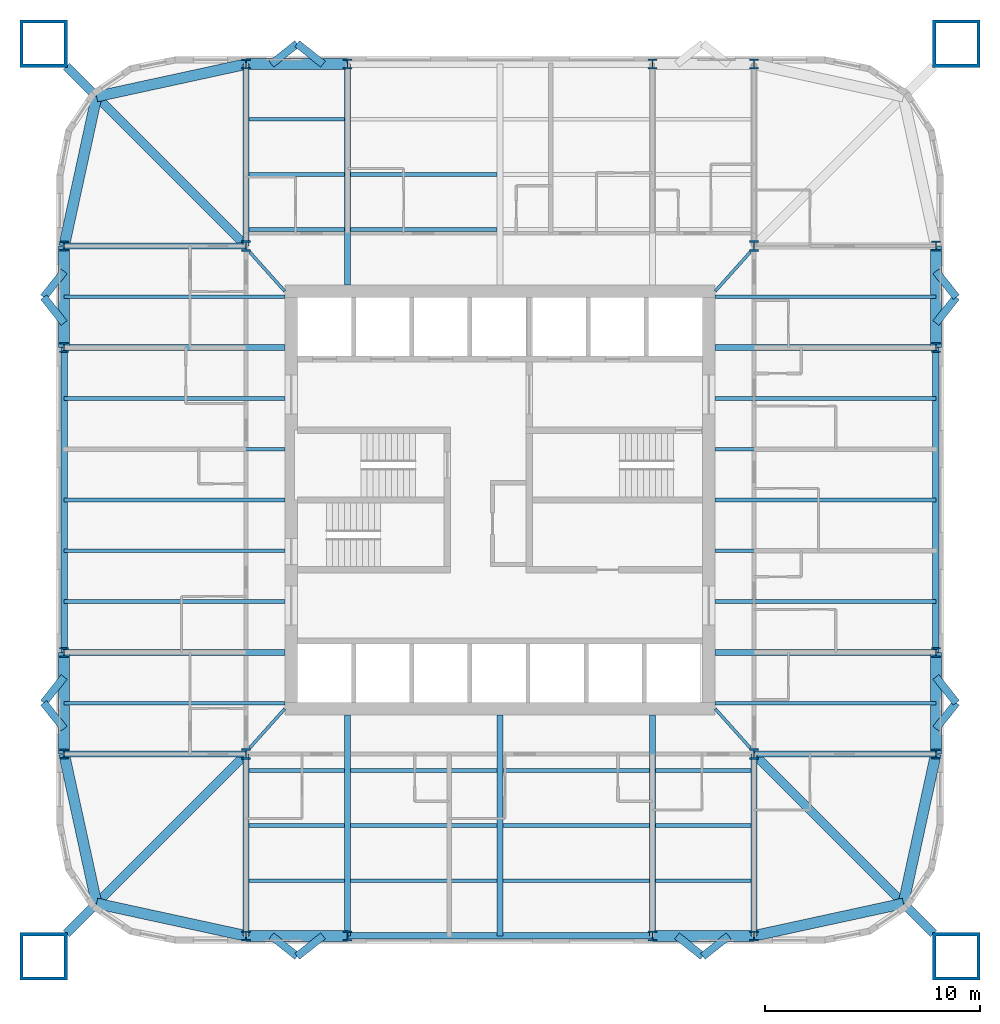
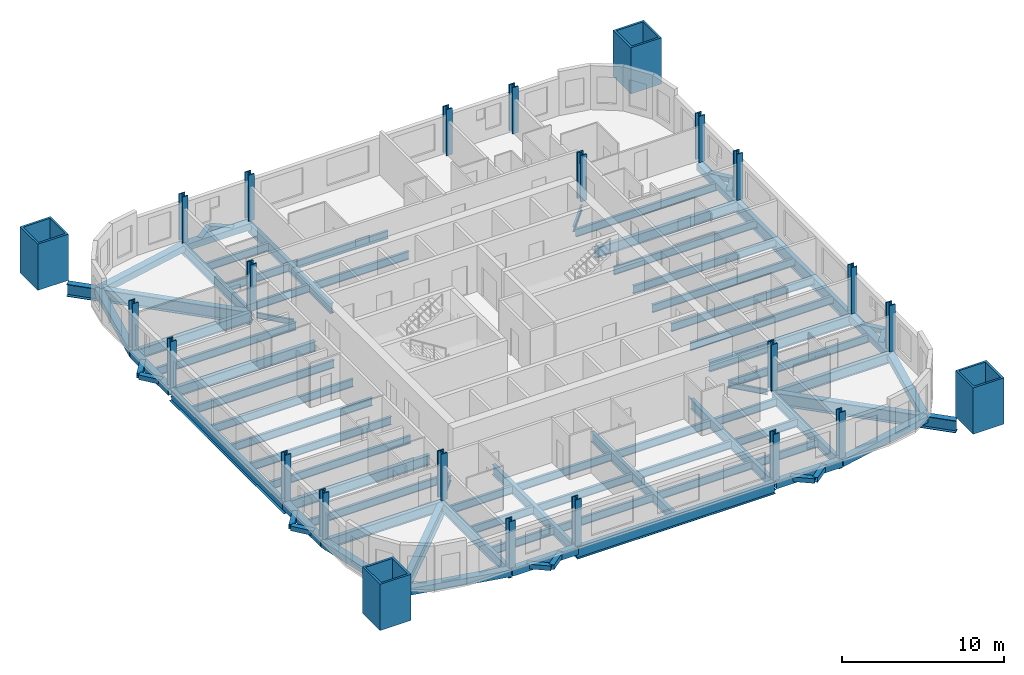
# One storey, part 1 of 9: 82 beams, 24 columns.
"""IFC4 building model written with IfcOpenShell, lengths in metres."""

from ifc_helpers import new_model, si_unit, direction, frame, origin, origin_2d, place, context, subcontext, project, spatial, hollow_rectangle, i_section, extrude, material, material_profile, profile_set, type_object, element, save


model = new_model("IFC4")

# Units and contexts
model_context = context("Model", 3, precision=1e-05, world=origin(), true_north=direction((0.0, 1.0)))
body_context = subcontext(model_context, "Body", "Model", "MODEL_VIEW")
ifc_project = project(units=[si_unit("LENGTHUNIT", "METRE"), si_unit("AREAUNIT", "SQUARE_METRE"), si_unit("VOLUMEUNIT", "CUBIC_METRE"), si_unit("PLANEANGLEUNIT", "RADIAN"), si_unit("MASSUNIT", "GRAM", prefix="KILO")], contexts=[model_context])

# Site, building, storey
site_placement = place(None, origin())
site = spatial("IfcSite", under=ifc_project, at=site_placement, CompositionType="ELEMENT")
building_placement = place(site_placement, origin())
building = spatial("IfcBuilding", under=site, at=building_placement, Name="Turquesa Mirador Hotel Tower", CompositionType="ELEMENT")
storey_placement = place(building_placement, frame((0.0, 0.0, 110.89990234375)))
storey = spatial("IfcBuildingStorey", under=building, at=storey_placement, Name="L29", CompositionType="ELEMENT", Elevation=110.89990234375)

# Columns
ifc_material_1 = material(Name="Steel ASTM A992 Grade 50", Category="steel")
ifc_material_profile_1 = material_profile(ifc_material_1, i_section(OverallWidth=0.421630859375, OverallDepth=0.46484375, WebThickness=0.044921875, FlangeThickness=0.072509765625, at=origin_2d()), Name="W14X398")
ifc_profile_set_1 = profile_set([ifc_material_profile_1], Name="Steel ASTM A992 Grade 50")
column_type_1 = type_object("IfcColumnType", Name="COLUMN W14X398", PredefinedType="COLUMN", material=ifc_profile_set_1)
for number, where, z_axis, x_axis, name in (
    (1, (34.75, 33.199951171875, 0.0), (0.0, 0.0, 1.0), (1.0, 0.0, 0.0), "COL-L29-P--20.25--11.80"),
    (2, (34.75, 37.919921875, 0.0), (0.0, 0.0, 1.0), (1.0, 0.0, 0.0), "COL-L29-P--20.25--7.08"),
    (3, (34.75, 52.080078125, 0.0), (0.0, 0.0, 1.0), (1.0, 0.0, 0.0), "COL-L29-P--20.25-+7.08"),
    (4, (34.75, 56.800048828125, 0.0), (0.0, 0.0, 1.0), (1.0, 0.0, 0.0), "COL-L29-P--20.25-+11.80"),
    (5, (43.199951171875, 24.75, 0.0), (0.0, 0.0, 1.0), (1.0, 0.0, 0.0), "COL-L29-P--11.80--20.25"),
    (6, (43.199951171875, 65.25, 0.0), (0.0, 0.0, 1.0), (1.0, 0.0, 0.0), "COL-L29-P--11.80-+20.25"),
    (7, (47.919921875, 24.75, 0.0), (0.0, 0.0, 1.0), (1.0, 0.0, 0.0), "COL-L29-P--7.08--20.25"),
    (8, (47.919921875, 65.25, 0.0), (0.0, 0.0, 1.0), (1.0, 0.0, 0.0), "COL-L29-P--7.08-+20.25"),
    (9, (62.080078125, 24.75, 0.0), (0.0, 0.0, 1.0), (1.0, 0.0, 0.0), "COL-L29-P-+7.08--20.25"),
    (10, (62.080078125, 65.25, 0.0), (0.0, 0.0, 1.0), (1.0, 0.0, 0.0), "COL-L29-P-+7.08-+20.25"),
    (11, (66.800048828125, 24.75, 0.0), (0.0, 0.0, 1.0), (1.0, 0.0, 0.0), "COL-L29-P-+11.80--20.25"),
    (12, (66.800048828125, 65.25, 0.0), (0.0, 0.0, 1.0), (1.0, 0.0, 0.0), "COL-L29-P-+11.80-+20.25"),
    (13, (75.25, 33.199951171875, 0.0), (0.0, 0.0, 1.0), (1.0, 0.0, 0.0), "COL-L29-P-+20.25--11.80"),
    (14, (75.25, 37.919921875, 0.0), (0.0, 0.0, 1.0), (1.0, 0.0, 0.0), "COL-L29-P-+20.25--7.08"),
    (15, (75.25, 52.080078125, 0.0), (0.0, 0.0, 1.0), (1.0, 0.0, 0.0), "COL-L29-P-+20.25-+7.08"),
    (16, (75.25, 56.800048828125, 0.0), (0.0, 0.0, 1.0), (1.0, 0.0, 0.0), "COL-L29-P-+20.25-+11.80"),
):
    element("IfcColumn", number, at=place(storey_placement, frame(where, z_axis=z_axis, x_axis=x_axis)), inside=storey, type_object=column_type_1, Name=name, PredefinedType="COLUMN", context=body_context, shape_type="SweptSolid", body=[
        extrude(i_section(OverallWidth=0.421630859375, OverallDepth=0.46484375, WebThickness=0.044921875, FlangeThickness=0.072509765625, at=origin_2d()), origin(), (0.0, 0.0, 1.0), 3.5),
    ])
ifc_material_2 = material(Name="Steel ASTM A992 Grade 50", Category="steel")
ifc_material_profile_2 = material_profile(ifc_material_2, i_section(OverallWidth=0.431884765625, OverallDepth=0.497802734375, WebThickness=0.0556640625, FlangeThickness=0.0888671875, at=origin_2d()), Name="W14X500")
ifc_profile_set_2 = profile_set([ifc_material_profile_2], Name="Steel ASTM A992 Grade 50")
column_type_2 = type_object("IfcColumnType", Name="COLUMN W14X500", PredefinedType="COLUMN", material=ifc_profile_set_2)
for number, where, z_axis, x_axis, name in (
    (17, (43.199951171875, 33.199951171875, 0.0), (0.0, 0.0, 1.0), (1.0, 0.0, 0.0), "COL-L29-K--11.80--11.80"),
    (18, (43.199951171875, 56.800048828125, 0.0), (0.0, 0.0, 1.0), (1.0, 0.0, 0.0), "COL-L29-K--11.80-+11.80"),
    (19, (66.800048828125, 33.199951171875, 0.0), (0.0, 0.0, 1.0), (1.0, 0.0, 0.0), "COL-L29-K-+11.80--11.80"),
    (20, (66.800048828125, 56.800048828125, 0.0), (0.0, 0.0, 1.0), (1.0, 0.0, 0.0), "COL-L29-K-+11.80-+11.80"),
):
    element("IfcColumn", number, at=place(storey_placement, frame(where, z_axis=z_axis, x_axis=x_axis)), inside=storey, type_object=column_type_2, Name=name, PredefinedType="COLUMN", context=body_context, shape_type="SweptSolid", body=[
        extrude(i_section(OverallWidth=0.431884765625, OverallDepth=0.497802734375, WebThickness=0.0556640625, FlangeThickness=0.0888671875, at=origin_2d()), origin(), (0.0, 0.0, 1.0), 3.5),
    ])
ifc_material_3 = material(Name="Steel ASTM A514 Grade Q", Category="steel")
ifc_material_profile_3 = material_profile(ifc_material_3, hollow_rectangle(XDim=2.199951171875, YDim=2.199951171875, WallThickness=0.14990234375, at=origin_2d()), Name="BOX2200X2200X150")
ifc_profile_set_3 = profile_set([ifc_material_profile_3], Name="Steel ASTM A514 Grade Q")
column_type_3 = type_object("IfcColumnType", Name="MEGA COLUMN BOX2200X2200X150", PredefinedType="COLUMN", material=ifc_profile_set_3)
for number, where, z_axis, x_axis, name in (
    (21, (76.199951171875, 66.199951171875, 0.0), (0.0, 0.0, 1.0), (1.0, 0.0, 0.0), "Mega column M1"),
    (22, (33.800048828125, 66.199951171875, 0.0), (0.0, 0.0, 1.0), (1.0, 0.0, 0.0), "Mega column M2"),
    (23, (33.800048828125, 23.800048828125, 0.0), (0.0, 0.0, 1.0), (1.0, 0.0, 0.0), "Mega column M3"),
    (24, (76.199951171875, 23.800048828125, 0.0), (0.0, 0.0, 1.0), (1.0, 0.0, 0.0), "Mega column M4"),
):
    element("IfcColumn", number, at=place(storey_placement, frame(where, z_axis=z_axis, x_axis=x_axis)), inside=storey, type_object=column_type_3, Name=name, PredefinedType="COLUMN", context=body_context, shape_type="SweptSolid", body=[
        extrude(hollow_rectangle(XDim=2.199951171875, YDim=2.199951171875, WallThickness=0.14990234375, at=origin_2d()), origin(), (0.0, 0.0, 1.0), 3.5),
    ])

# Beams
ifc_material_4 = material(Name="Steel ASTM A572 Grade 50", Category="steel")
ifc_material_profile_4 = material_profile(ifc_material_4, hollow_rectangle(XDim=0.5, YDim=0.5, WallThickness=0.01611328125, at=origin_2d()), Name="BOX500X500X16")
ifc_profile_set_4 = profile_set([ifc_material_profile_4], Name="Steel ASTM A572 Grade 50")
beam_type_1 = type_object("IfcBeamType", Name="BEAM BOX500X500X16", PredefinedType="BEAM", material=ifc_profile_set_4)
for number, where, z_axis, x_axis, name in (
    (25, (43.199951171875, 65.25, -0.419921875), (1.0, 0.0, 0.0), (0.0, 1.0, 0.0), "EB-L29-N-L"),
    (26, (43.199951171875, 24.75, -0.419921875), (1.0, 0.0, 0.0), (0.0, 1.0, 0.0), "EB-L29-S-L"),
    (27, (62.080078125, 24.75, -0.419921875), (1.0, 0.0, 0.0), (0.0, 1.0, 0.0), "EB-L29-S-R"),
    (28, (75.25, 33.199951171875, -0.419921875), (0.0, 1.0, 0.0), (-1.0, 0.0, 0.0), "EB-L29-E-L"),
    (29, (75.25, 52.080078125, -0.419921875), (0.0, 1.0, 0.0), (-1.0, 0.0, 0.0), "EB-L29-E-R"),
    (30, (34.75, 33.199951171875, -0.419921875), (0.0, 1.0, 0.0), (-1.0, 0.0, 0.0), "EB-L29-W-L"),
    (31, (34.75, 52.080078125, -0.419921875), (0.0, 1.0, 0.0), (-1.0, 0.0, 0.0), "EB-L29-W-R"),
):
    element("IfcBeam", number, at=place(storey_placement, frame(where, z_axis=z_axis, x_axis=x_axis)), inside=storey, type_object=beam_type_1, Name=name, PredefinedType="BEAM", context=body_context, shape_type="SweptSolid", body=[
        extrude(hollow_rectangle(XDim=0.5, YDim=0.5, WallThickness=0.01611328125, at=origin_2d()), origin(), (0.0, 0.0, 1.0), 4.719970703125),
    ])
for number, where, z_axis, x_axis, name in (
    (32, (34.75, 56.800048828125, -0.419921875), (0.212328336885, 0.977198381781, 0.0), (-0.977198381781, 0.212328336885, 0.0), "KE-L29-2-0"),
    (33, (36.25830078125, 63.74169921875, -0.419921875), (0.977198381781, 0.212328336885, 0.0), (-0.212328336885, 0.977198381781, 0.0), "KE-L29-2-1"),
    (34, (34.75, 33.199951171875, -0.419921875), (0.212328336885, -0.977198381781, 0.0), (0.977198381781, 0.212328336885, 0.0), "KE-L29-3-0"),
    (35, (36.25830078125, 26.25830078125, -0.419921875), (0.977198381781, -0.212328336885, 0.0), (0.212328336885, 0.977198381781, 0.0), "KE-L29-3-1"),
    (36, (75.25, 33.199951171875, -0.419921875), (-0.212328336885, -0.977198381781, 0.0), (0.977198381781, -0.212328336885, 0.0), "KE-L29-4-0"),
    (37, (73.74169921875, 26.25830078125, -0.419921875), (-0.977198381781, -0.212328336885, 0.0), (0.212328336885, -0.977198381781, 0.0), "KE-L29-4-1"),
):
    element("IfcBeam", number, at=place(storey_placement, frame(where, z_axis=z_axis, x_axis=x_axis)), inside=storey, type_object=beam_type_1, Name=name, PredefinedType="BEAM", context=body_context, shape_type="SweptSolid", body=[
        extrude(hollow_rectangle(XDim=0.5, YDim=0.5, WallThickness=0.01611328125, at=origin_2d()), origin(), (0.0, 0.0, 1.0), 7.103515625),
    ])
ifc_material_5 = material(Name="Steel ASTM A992 Grade 50", Category="steel")
ifc_material_profile_5 = material_profile(ifc_material_5, i_section(OverallWidth=0.140380859375, OverallDepth=0.40380859375, WebThickness=0.007080078125, FlangeThickness=0.01123046875, at=origin_2d()), Name="W16X31")
ifc_profile_set_5 = profile_set([ifc_material_profile_5], Name="Steel ASTM A992 Grade 50")
beam_type_2 = type_object("IfcBeamType", Name="BEAM W16X31", PredefinedType="BEAM", material=ifc_profile_set_5)
for number, where, z_axis, x_axis, name in (
    (38, (66.626953125, 56.518310546875, -0.371826171875), (-0.66679485947, -0.745241313525, 0.0), (0.745241313525, -0.66679485947, 0.0), "KT-L29-1"),
    (39, (43.373046875, 56.518310546875, -0.371826171875), (0.66679485947, -0.745241313525, 0.0), (0.745241313525, 0.66679485947, 0.0), "KT-L29-2"),
    (40, (43.373046875, 33.481689453125, -0.371826171875), (0.66679485947, 0.745241313525, 0.0), (-0.745241313525, 0.66679485947, 0.0), "KT-L29-3"),
    (41, (66.626953125, 33.481689453125, -0.371826171875), (-0.66679485947, 0.745241313525, 0.0), (-0.745241313525, -0.66679485947, 0.0), "KT-L29-4"),
):
    element("IfcBeam", number, at=place(storey_placement, frame(where, z_axis=z_axis, x_axis=x_axis)), inside=storey, type_object=beam_type_2, Name=name, PredefinedType="BEAM", context=body_context, shape_type="SweptSolid", body=[
        extrude(i_section(OverallWidth=0.140380859375, OverallDepth=0.40380859375, WebThickness=0.007080078125, FlangeThickness=0.01123046875, at=origin_2d()), origin(), (0.0, 0.0, 1.0), 2.43994140625),
    ])
ifc_material_6 = material(Name="Steel ASTM A992 Grade 50", Category="steel")
ifc_material_profile_6 = material_profile(ifc_material_6, i_section(OverallWidth=0.177978515625, OverallDepth=0.599365234375, WebThickness=0.010009765625, FlangeThickness=0.012939453125, at=origin_2d()), Name="W24X55")
ifc_profile_set_6 = profile_set([ifc_material_profile_6], Name="Steel ASTM A992 Grade 50")
beam_type_3 = type_object("IfcBeamType", Name="BEAM W24X55", PredefinedType="BEAM", material=ifc_profile_set_6)
beam_1_placement = place(storey_placement, frame((43.333251953125, 57.56201171875, -0.4697265625), z_axis=(1.0, 0.0, 0.0), x_axis=(0.0, 1.0, 0.0)))
element("IfcBeam", 42, at=beam_1_placement, inside=storey, type_object=beam_type_3, Name="IB-L29-N-1-0", PredefinedType="BEAM", context=body_context, shape_type="SweptSolid", body=[
    extrude(i_section(OverallWidth=0.177978515625, OverallDepth=0.599365234375, WebThickness=0.010009765625, FlangeThickness=0.012939453125, at=origin_2d()), origin(), (0.0, 0.0, 1.0), 4.453369140625),
])
beam_2_placement = place(storey_placement, frame((48.053466796875, 57.56201171875, -0.4697265625), z_axis=(1.0, 0.0, 0.0), x_axis=(0.0, 1.0, 0.0)))
element("IfcBeam", 43, at=beam_2_placement, inside=storey, type_object=beam_type_3, Name="IB-L29-N-1-1", PredefinedType="BEAM", context=body_context, shape_type="SweptSolid", body=[
    extrude(i_section(OverallWidth=0.177978515625, OverallDepth=0.599365234375, WebThickness=0.010009765625, FlangeThickness=0.012939453125, at=origin_2d()), origin(), (0.0, 0.0, 1.0), 6.813232421875),
])
beam_3_placement = place(storey_placement, frame((43.333251953125, 60.125, -0.4697265625), z_axis=(1.0, 0.0, 0.0), x_axis=(0.0, 1.0, 0.0)))
element("IfcBeam", 44, at=beam_3_placement, inside=storey, type_object=beam_type_3, Name="IB-L29-N-2-0", PredefinedType="BEAM", context=body_context, shape_type="SweptSolid", body=[
    extrude(i_section(OverallWidth=0.177978515625, OverallDepth=0.599365234375, WebThickness=0.010009765625, FlangeThickness=0.012939453125, at=origin_2d()), origin(), (0.0, 0.0, 1.0), 4.453369140625),
])
beam_4_placement = place(storey_placement, frame((48.053466796875, 60.125, -0.4697265625), z_axis=(1.0, 0.0, 0.0), x_axis=(0.0, 1.0, 0.0)))
element("IfcBeam", 45, at=beam_4_placement, inside=storey, type_object=beam_type_3, Name="IB-L29-N-2-1", PredefinedType="BEAM", context=body_context, shape_type="SweptSolid", body=[
    extrude(i_section(OverallWidth=0.177978515625, OverallDepth=0.599365234375, WebThickness=0.010009765625, FlangeThickness=0.012939453125, at=origin_2d()), origin(), (0.0, 0.0, 1.0), 6.813232421875),
])
for number, where, z_axis, x_axis, name in (
    (46, (43.333251953125, 62.68798828125, -0.4697265625), (1.0, 0.0, 0.0), (0.0, 1.0, 0.0), "IB-L29-N-3-0"),
    (47, (43.333251953125, 32.43798828125, -0.4697265625), (1.0, 0.0, 0.0), (0.0, 1.0, 0.0), "IB-L29-S-1-0"),
):
    element("IfcBeam", number, at=place(storey_placement, frame(where, z_axis=z_axis, x_axis=x_axis)), inside=storey, type_object=beam_type_3, Name=name, PredefinedType="BEAM", context=body_context, shape_type="SweptSolid", body=[
        extrude(i_section(OverallWidth=0.177978515625, OverallDepth=0.599365234375, WebThickness=0.010009765625, FlangeThickness=0.012939453125, at=origin_2d()), origin(), (0.0, 0.0, 1.0), 4.453369140625),
    ])
for number, where, z_axis, x_axis, name in (
    (48, (48.053466796875, 32.43798828125, -0.4697265625), (1.0, 0.0, 0.0), (0.0, 1.0, 0.0), "IB-L29-S-1-1"),
    (49, (55.13330078125, 32.43798828125, -0.4697265625), (1.0, 0.0, 0.0), (0.0, 1.0, 0.0), "IB-L29-S-1-2"),
):
    element("IfcBeam", number, at=place(storey_placement, frame(where, z_axis=z_axis, x_axis=x_axis)), inside=storey, type_object=beam_type_3, Name=name, PredefinedType="BEAM", context=body_context, shape_type="SweptSolid", body=[
        extrude(i_section(OverallWidth=0.177978515625, OverallDepth=0.599365234375, WebThickness=0.010009765625, FlangeThickness=0.012939453125, at=origin_2d()), origin(), (0.0, 0.0, 1.0), 6.813232421875),
    ])
for number, where, z_axis, x_axis, name in (
    (50, (62.21337890625, 32.43798828125, -0.4697265625), (1.0, 0.0, 0.0), (0.0, 1.0, 0.0), "IB-L29-S-1-3"),
    (51, (43.333251953125, 29.875, -0.4697265625), (1.0, 0.0, 0.0), (0.0, 1.0, 0.0), "IB-L29-S-2-0"),
):
    element("IfcBeam", number, at=place(storey_placement, frame(where, z_axis=z_axis, x_axis=x_axis)), inside=storey, type_object=beam_type_3, Name=name, PredefinedType="BEAM", context=body_context, shape_type="SweptSolid", body=[
        extrude(i_section(OverallWidth=0.177978515625, OverallDepth=0.599365234375, WebThickness=0.010009765625, FlangeThickness=0.012939453125, at=origin_2d()), origin(), (0.0, 0.0, 1.0), 4.453369140625),
    ])
for number, where, z_axis, x_axis, name in (
    (52, (48.053466796875, 29.875, -0.4697265625), (1.0, 0.0, 0.0), (0.0, 1.0, 0.0), "IB-L29-S-2-1"),
    (53, (55.13330078125, 29.875, -0.4697265625), (1.0, 0.0, 0.0), (0.0, 1.0, 0.0), "IB-L29-S-2-2"),
):
    element("IfcBeam", number, at=place(storey_placement, frame(where, z_axis=z_axis, x_axis=x_axis)), inside=storey, type_object=beam_type_3, Name=name, PredefinedType="BEAM", context=body_context, shape_type="SweptSolid", body=[
        extrude(i_section(OverallWidth=0.177978515625, OverallDepth=0.599365234375, WebThickness=0.010009765625, FlangeThickness=0.012939453125, at=origin_2d()), origin(), (0.0, 0.0, 1.0), 6.813232421875),
    ])
for number, where, z_axis, x_axis, name in (
    (54, (62.21337890625, 29.875, -0.4697265625), (1.0, 0.0, 0.0), (0.0, 1.0, 0.0), "IB-L29-S-2-3"),
    (55, (43.333251953125, 27.31201171875, -0.4697265625), (1.0, 0.0, 0.0), (0.0, 1.0, 0.0), "IB-L29-S-3-0"),
):
    element("IfcBeam", number, at=place(storey_placement, frame(where, z_axis=z_axis, x_axis=x_axis)), inside=storey, type_object=beam_type_3, Name=name, PredefinedType="BEAM", context=body_context, shape_type="SweptSolid", body=[
        extrude(i_section(OverallWidth=0.177978515625, OverallDepth=0.599365234375, WebThickness=0.010009765625, FlangeThickness=0.012939453125, at=origin_2d()), origin(), (0.0, 0.0, 1.0), 4.453369140625),
    ])
for number, where, z_axis, x_axis, name in (
    (56, (48.053466796875, 27.31201171875, -0.4697265625), (1.0, 0.0, 0.0), (0.0, 1.0, 0.0), "IB-L29-S-3-1"),
    (57, (55.13330078125, 27.31201171875, -0.4697265625), (1.0, 0.0, 0.0), (0.0, 1.0, 0.0), "IB-L29-S-3-2"),
):
    element("IfcBeam", number, at=place(storey_placement, frame(where, z_axis=z_axis, x_axis=x_axis)), inside=storey, type_object=beam_type_3, Name=name, PredefinedType="BEAM", context=body_context, shape_type="SweptSolid", body=[
        extrude(i_section(OverallWidth=0.177978515625, OverallDepth=0.599365234375, WebThickness=0.010009765625, FlangeThickness=0.012939453125, at=origin_2d()), origin(), (0.0, 0.0, 1.0), 6.813232421875),
    ])
beam_5_placement = place(storey_placement, frame((62.21337890625, 27.31201171875, -0.4697265625), z_axis=(1.0, 0.0, 0.0), x_axis=(0.0, 1.0, 0.0)))
element("IfcBeam", 58, at=beam_5_placement, inside=storey, type_object=beam_type_3, Name="IB-L29-S-3-3", PredefinedType="BEAM", context=body_context, shape_type="SweptSolid", body=[
    extrude(i_section(OverallWidth=0.177978515625, OverallDepth=0.599365234375, WebThickness=0.010009765625, FlangeThickness=0.012939453125, at=origin_2d()), origin(), (0.0, 0.0, 1.0), 4.453369140625),
])
for number, where, z_axis, x_axis, name in (
    (59, (75.25, 35.56005859375, -0.4697265625), (-1.0, 0.0, 0.0), (0.0, -1.0, 0.0), "BM-L29-E--9.44"),
    (60, (75.25, 40.280029296875, -0.4697265625), (-1.0, 0.0, 0.0), (0.0, -1.0, 0.0), "BM-L29-E--4.72"),
    (61, (75.25, 42.639892578125, -0.4697265625), (-1.0, 0.0, 0.0), (0.0, -1.0, 0.0), "BM-L29-E--2.36"),
    (62, (75.25, 45.0, -0.4697265625), (-1.0, 0.0, 0.0), (0.0, -1.0, 0.0), "BM-L29-E-+0.00"),
    (63, (75.25, 47.360107421875, -0.4697265625), (-1.0, 0.0, 0.0), (0.0, -1.0, 0.0), "BM-L29-E-+2.36"),
    (64, (75.25, 49.719970703125, -0.4697265625), (-1.0, 0.0, 0.0), (0.0, -1.0, 0.0), "BM-L29-E-+4.72"),
    (65, (75.25, 54.43994140625, -0.4697265625), (-1.0, 0.0, 0.0), (0.0, -1.0, 0.0), "BM-L29-E-+9.44"),
    (66, (34.75, 35.56005859375, -0.4697265625), (1.0, 0.0, 0.0), (0.0, 1.0, 0.0), "BM-L29-W--9.44"),
    (67, (34.75, 40.280029296875, -0.4697265625), (1.0, 0.0, 0.0), (0.0, 1.0, 0.0), "BM-L29-W--4.72"),
    (68, (34.75, 42.639892578125, -0.4697265625), (1.0, 0.0, 0.0), (0.0, 1.0, 0.0), "BM-L29-W--2.36"),
    (69, (34.75, 45.0, -0.4697265625), (1.0, 0.0, 0.0), (0.0, 1.0, 0.0), "BM-L29-W-+0.00"),
    (70, (34.75, 47.360107421875, -0.4697265625), (1.0, 0.0, 0.0), (0.0, 1.0, 0.0), "BM-L29-W-+2.36"),
    (71, (34.75, 49.719970703125, -0.4697265625), (1.0, 0.0, 0.0), (0.0, 1.0, 0.0), "BM-L29-W-+4.72"),
    (72, (34.75, 54.43994140625, -0.4697265625), (1.0, 0.0, 0.0), (0.0, 1.0, 0.0), "BM-L29-W-+9.44"),
):
    element("IfcBeam", number, at=place(storey_placement, frame(where, z_axis=z_axis, x_axis=x_axis)), inside=storey, type_object=beam_type_3, Name=name, PredefinedType="BEAM", context=body_context, shape_type="SweptSolid", body=[
        extrude(i_section(OverallWidth=0.177978515625, OverallDepth=0.599365234375, WebThickness=0.010009765625, FlangeThickness=0.012939453125, at=origin_2d()), origin(), (0.0, 0.0, 1.0), 10.25),
    ])
ifc_material_7 = material(Name="Steel ASTM A992 Grade 50", Category="steel")
ifc_material_profile_7 = material_profile(ifc_material_7, i_section(OverallWidth=0.2666015625, OverallDepth=0.7568359375, WebThickness=0.013916015625, FlangeThickness=0.019287109375, at=origin_2d()), Name="W30X108")
ifc_profile_set_7 = profile_set([ifc_material_profile_7], Name="Steel ASTM A992 Grade 50")
beam_type_4 = type_object("IfcBeamType", Name="BEAM W30X108", PredefinedType="BEAM", material=ifc_profile_set_7)
beam_6_placement = place(storey_placement, frame((47.919921875, 65.25, -0.54833984375), z_axis=(0.0, -1.0, 0.0), x_axis=(1.0, 0.0, 0.0)))
element("IfcBeam", 73, at=beam_6_placement, inside=storey, type_object=beam_type_4, Name="GD-L29-N--7.08", PredefinedType="BEAM", context=body_context, shape_type="SweptSolid", body=[
    extrude(i_section(OverallWidth=0.2666015625, OverallDepth=0.7568359375, WebThickness=0.013916015625, FlangeThickness=0.019287109375, at=origin_2d()), origin(), (0.0, 0.0, 1.0), 10.25),
])
beam_7_placement = place(storey_placement, frame((43.199951171875, 65.25, -0.54833984375), z_axis=(0.0, -1.0, 0.0), x_axis=(1.0, 0.0, 0.0)))
element("IfcBeam", 74, at=beam_7_placement, inside=storey, type_object=beam_type_4, Name="GK-L29-N--11.80", PredefinedType="BEAM", context=body_context, shape_type="SweptSolid", body=[
    extrude(i_section(OverallWidth=0.2666015625, OverallDepth=0.7568359375, WebThickness=0.013916015625, FlangeThickness=0.019287109375, at=origin_2d()), origin(), (0.0, 0.0, 1.0), 8.449951171875),
])
for number, where, z_axis, x_axis, name in (
    (75, (47.919921875, 24.75, -0.54833984375), (0.0, 1.0, 0.0), (-1.0, 0.0, 0.0), "GD-L29-S--7.08"),
    (76, (62.080078125, 24.75, -0.54833984375), (0.0, 1.0, 0.0), (-1.0, 0.0, 0.0), "GD-L29-S-+7.08"),
    (77, (55.0, 24.75, -0.54833984375), (0.0, 1.0, 0.0), (-1.0, 0.0, 0.0), "GD-L29-S-+0.00"),
):
    element("IfcBeam", number, at=place(storey_placement, frame(where, z_axis=z_axis, x_axis=x_axis)), inside=storey, type_object=beam_type_4, Name=name, PredefinedType="BEAM", context=body_context, shape_type="SweptSolid", body=[
        extrude(i_section(OverallWidth=0.2666015625, OverallDepth=0.7568359375, WebThickness=0.013916015625, FlangeThickness=0.019287109375, at=origin_2d()), origin(), (0.0, 0.0, 1.0), 10.25),
    ])
for number, where, z_axis, x_axis, name in (
    (78, (43.199951171875, 24.75, -0.54833984375), (0.0, 1.0, 0.0), (-1.0, 0.0, 0.0), "GK-L29-S--11.80"),
    (79, (66.800048828125, 24.75, -0.54833984375), (0.0, 1.0, 0.0), (-1.0, 0.0, 0.0), "GK-L29-S-+11.80"),
):
    element("IfcBeam", number, at=place(storey_placement, frame(where, z_axis=z_axis, x_axis=x_axis)), inside=storey, type_object=beam_type_4, Name=name, PredefinedType="BEAM", context=body_context, shape_type="SweptSolid", body=[
        extrude(i_section(OverallWidth=0.2666015625, OverallDepth=0.7568359375, WebThickness=0.013916015625, FlangeThickness=0.019287109375, at=origin_2d()), origin(), (0.0, 0.0, 1.0), 8.449951171875),
    ])
for number, where, z_axis, x_axis, name in (
    (80, (75.25, 37.919921875, -0.54833984375), (-1.0, 0.0, 0.0), (0.0, -1.0, 0.0), "GD-L29-E--7.08"),
    (81, (75.25, 52.080078125, -0.54833984375), (-1.0, 0.0, 0.0), (0.0, -1.0, 0.0), "GD-L29-E-+7.08"),
):
    element("IfcBeam", number, at=place(storey_placement, frame(where, z_axis=z_axis, x_axis=x_axis)), inside=storey, type_object=beam_type_4, Name=name, PredefinedType="BEAM", context=body_context, shape_type="SweptSolid", body=[
        extrude(i_section(OverallWidth=0.2666015625, OverallDepth=0.7568359375, WebThickness=0.013916015625, FlangeThickness=0.019287109375, at=origin_2d()), origin(), (0.0, 0.0, 1.0), 10.25),
    ])
beam_8_placement = place(storey_placement, frame((75.25, 33.199951171875, -0.54833984375), z_axis=(-1.0, 0.0, 0.0), x_axis=(0.0, -1.0, 0.0)))
element("IfcBeam", 82, at=beam_8_placement, inside=storey, type_object=beam_type_4, Name="GK-L29-E--11.80", PredefinedType="BEAM", context=body_context, shape_type="SweptSolid", body=[
    extrude(i_section(OverallWidth=0.2666015625, OverallDepth=0.7568359375, WebThickness=0.013916015625, FlangeThickness=0.019287109375, at=origin_2d()), origin(), (0.0, 0.0, 1.0), 8.449951171875),
])
for number, where, z_axis, x_axis, name in (
    (83, (34.75, 37.919921875, -0.54833984375), (1.0, 0.0, 0.0), (0.0, 1.0, 0.0), "GD-L29-W--7.08"),
    (84, (34.75, 52.080078125, -0.54833984375), (1.0, 0.0, 0.0), (0.0, 1.0, 0.0), "GD-L29-W-+7.08"),
):
    element("IfcBeam", number, at=place(storey_placement, frame(where, z_axis=z_axis, x_axis=x_axis)), inside=storey, type_object=beam_type_4, Name=name, PredefinedType="BEAM", context=body_context, shape_type="SweptSolid", body=[
        extrude(i_section(OverallWidth=0.2666015625, OverallDepth=0.7568359375, WebThickness=0.013916015625, FlangeThickness=0.019287109375, at=origin_2d()), origin(), (0.0, 0.0, 1.0), 10.25),
    ])
for number, where, z_axis, x_axis, name in (
    (85, (34.75, 33.199951171875, -0.54833984375), (1.0, 0.0, 0.0), (0.0, 1.0, 0.0), "GK-L29-W--11.80"),
    (86, (34.75, 56.800048828125, -0.54833984375), (1.0, 0.0, 0.0), (0.0, 1.0, 0.0), "GK-L29-W-+11.80"),
):
    element("IfcBeam", number, at=place(storey_placement, frame(where, z_axis=z_axis, x_axis=x_axis)), inside=storey, type_object=beam_type_4, Name=name, PredefinedType="BEAM", context=body_context, shape_type="SweptSolid", body=[
        extrude(i_section(OverallWidth=0.2666015625, OverallDepth=0.7568359375, WebThickness=0.013916015625, FlangeThickness=0.019287109375, at=origin_2d()), origin(), (0.0, 0.0, 1.0), 8.449951171875),
    ])
ifc_material_8 = material(Name="Steel ASTM A992 Grade 50", Category="steel")
ifc_material_profile_8 = material_profile(ifc_material_8, i_section(OverallWidth=0.3046875, OverallDepth=0.911865234375, WebThickness=0.015869140625, FlangeThickness=0.02392578125, at=origin_2d()), Name="W36X150")
ifc_profile_set_8 = profile_set([ifc_material_profile_8], Name="Steel ASTM A992 Grade 50")
beam_type_5 = type_object("IfcBeamType", Name="BEAM W36X150", PredefinedType="BEAM", material=ifc_profile_set_8)
for number, where, z_axis, x_axis, name in (
    (87, (47.919921875, 24.75, -0.625732421875), (1.0, 0.0, 0.0), (0.0, 1.0, 0.0), "EB-L29-S-C"),
    (88, (75.25, 37.919921875, -0.625732421875), (0.0, 1.0, 0.0), (-1.0, 0.0, 0.0), "EB-L29-E-C"),
    (89, (34.75, 37.919921875, -0.625732421875), (0.0, 1.0, 0.0), (-1.0, 0.0, 0.0), "EB-L29-W-C"),
):
    element("IfcBeam", number, at=place(storey_placement, frame(where, z_axis=z_axis, x_axis=x_axis)), inside=storey, type_object=beam_type_5, Name=name, PredefinedType="BEAM", context=body_context, shape_type="SweptSolid", body=[
        extrude(i_section(OverallWidth=0.3046875, OverallDepth=0.911865234375, WebThickness=0.015869140625, FlangeThickness=0.02392578125, at=origin_2d()), origin(), (0.0, 0.0, 1.0), 14.16015625),
    ])
ifc_material_9 = material(Name="Steel ASTM A992 Grade 50", Category="steel")
ifc_material_profile_9 = material_profile(ifc_material_9, i_section(OverallWidth=0.419189453125, OverallDepth=0.927001953125, WebThickness=0.019287109375, FlangeThickness=0.031982421875, at=origin_2d()), Name="W36X231")
ifc_profile_set_9 = profile_set([ifc_material_profile_9], Name="Steel ASTM A992 Grade 50")
beam_type_6 = type_object("IfcBeamType", Name="BEAM W36X231", PredefinedType="BEAM", material=ifc_profile_set_9)
for number, where, z_axis, x_axis, name in (
    (90, (43.199951171875, 56.800048828125, -0.633544921875), (-0.707106781187, 0.707106781187, 0.0), (-0.707106781187, -0.707106781187, 0.0), "KD-L29-2"),
    (91, (43.199951171875, 33.199951171875, -0.633544921875), (-0.707106781187, -0.707106781187, 0.0), (0.707106781187, -0.707106781187, 0.0), "KD-L29-3"),
    (92, (66.800048828125, 33.199951171875, -0.633544921875), (0.707106781187, -0.707106781187, 0.0), (0.707106781187, 0.707106781187, 0.0), "KD-L29-4"),
):
    element("IfcBeam", number, at=place(storey_placement, frame(where, z_axis=z_axis, x_axis=x_axis)), inside=storey, type_object=beam_type_6, Name=name, PredefinedType="BEAM", context=body_context, shape_type="SweptSolid", body=[
        extrude(i_section(OverallWidth=0.419189453125, OverallDepth=0.927001953125, WebThickness=0.019287109375, FlangeThickness=0.031982421875, at=origin_2d()), origin(), (0.0, 0.0, 1.0), 11.80859375),
    ])
ifc_material_10 = material(Name="Steel ASTM A500 Grade C", Category="steel")
ifc_material_profile_10 = material_profile(ifc_material_10, hollow_rectangle(XDim=0.355712890625, YDim=0.355712890625, WallThickness=0.0146484375, at=origin_2d()), Name="HSS14X14X5/8")
ifc_profile_set_10 = profile_set([ifc_material_profile_10], Name="Steel ASTM A500 Grade C")
beam_type_7 = type_object("IfcBeamType", Name="BRACE STRUT HSS14X14X5/8", PredefinedType="BEAM", material=ifc_profile_set_10)
beam_9_placement = place(storey_placement, frame((45.577880859375, 66.199951171875, -0.34765625), z_axis=(-0.784110506071, -0.620621232531, 0.0), x_axis=(0.620621232531, -0.784110506071, 0.0)))
element("IfcBeam", 93, at=beam_9_placement, inside=storey, type_object=beam_type_7, Name="Brace strut", PredefinedType="BEAM", context=body_context, shape_type="SweptSolid", body=[
    extrude(hollow_rectangle(XDim=0.355712890625, YDim=0.355712890625, WallThickness=0.0146484375, at=origin_2d()), origin(), (0.0, 0.0, 1.0), 1.53076171875),
])
beam_10_placement = place(storey_placement, frame((45.577880859375, 66.199951171875, -0.34765625), z_axis=(0.784049059149, -0.620698858423, 0.0), x_axis=(0.620698858423, 0.784049059149, 0.0)))
element("IfcBeam", 94, at=beam_10_placement, inside=storey, type_object=beam_type_7, Name="Brace strut", PredefinedType="BEAM", context=body_context, shape_type="SweptSolid", body=[
    extrude(hollow_rectangle(XDim=0.355712890625, YDim=0.355712890625, WallThickness=0.0146484375, at=origin_2d()), origin(), (0.0, 0.0, 1.0), 1.530517578125),
])
beam_11_placement = place(storey_placement, frame((45.577880859375, 23.800048828125, -0.34765625), z_axis=(-0.784110506071, 0.620621232531, 0.0), x_axis=(-0.620621232531, -0.784110506071, 0.0)))
element("IfcBeam", 95, at=beam_11_placement, inside=storey, type_object=beam_type_7, Name="Brace strut", PredefinedType="BEAM", context=body_context, shape_type="SweptSolid", body=[
    extrude(hollow_rectangle(XDim=0.355712890625, YDim=0.355712890625, WallThickness=0.0146484375, at=origin_2d()), origin(), (0.0, 0.0, 1.0), 1.53076171875),
])
for number, where, z_axis, x_axis, name in (
    (96, (45.577880859375, 23.800048828125, -0.34765625), (0.784049059149, 0.620698858423, 0.0), (-0.620698858423, 0.784049059149, 0.0), "Brace strut"),
    (97, (64.422119140625, 23.800048828125, -0.34765625), (-0.784049059149, 0.620698858423, 0.0), (-0.620698858423, -0.784049059149, 0.0), "Brace strut"),
):
    element("IfcBeam", number, at=place(storey_placement, frame(where, z_axis=z_axis, x_axis=x_axis)), inside=storey, type_object=beam_type_7, Name=name, PredefinedType="BEAM", context=body_context, shape_type="SweptSolid", body=[
        extrude(hollow_rectangle(XDim=0.355712890625, YDim=0.355712890625, WallThickness=0.0146484375, at=origin_2d()), origin(), (0.0, 0.0, 1.0), 1.530517578125),
    ])
for number, where, z_axis, x_axis, name in (
    (98, (64.422119140625, 23.800048828125, -0.34765625), (0.784110506071, 0.620621232531, 0.0), (-0.620621232531, 0.784110506071, 0.0), "Brace strut"),
    (99, (76.199951171875, 35.577880859375, -0.34765625), (-0.620621232531, -0.784110506071, 0.0), (0.784110506071, -0.620621232531, 0.0), "Brace strut"),
):
    element("IfcBeam", number, at=place(storey_placement, frame(where, z_axis=z_axis, x_axis=x_axis)), inside=storey, type_object=beam_type_7, Name=name, PredefinedType="BEAM", context=body_context, shape_type="SweptSolid", body=[
        extrude(hollow_rectangle(XDim=0.355712890625, YDim=0.355712890625, WallThickness=0.0146484375, at=origin_2d()), origin(), (0.0, 0.0, 1.0), 1.53076171875),
    ])
for number, where, z_axis, x_axis, name in (
    (100, (76.199951171875, 35.577880859375, -0.34765625), (-0.620698858423, 0.784049059149, 0.0), (-0.784049059149, -0.620698858423, 0.0), "Brace strut"),
    (101, (76.199951171875, 54.422119140625, -0.34765625), (-0.620698858423, -0.784049059149, 0.0), (0.784049059149, -0.620698858423, 0.0), "Brace strut"),
):
    element("IfcBeam", number, at=place(storey_placement, frame(where, z_axis=z_axis, x_axis=x_axis)), inside=storey, type_object=beam_type_7, Name=name, PredefinedType="BEAM", context=body_context, shape_type="SweptSolid", body=[
        extrude(hollow_rectangle(XDim=0.355712890625, YDim=0.355712890625, WallThickness=0.0146484375, at=origin_2d()), origin(), (0.0, 0.0, 1.0), 1.530517578125),
    ])
for number, where, z_axis, x_axis, name in (
    (102, (76.199951171875, 54.422119140625, -0.34765625), (-0.620621232531, 0.784110506071, 0.0), (-0.784110506071, -0.620621232531, 0.0), "Brace strut"),
    (103, (33.800048828125, 35.577880859375, -0.34765625), (0.620621232531, -0.784110506071, 0.0), (0.784110506071, 0.620621232531, 0.0), "Brace strut"),
):
    element("IfcBeam", number, at=place(storey_placement, frame(where, z_axis=z_axis, x_axis=x_axis)), inside=storey, type_object=beam_type_7, Name=name, PredefinedType="BEAM", context=body_context, shape_type="SweptSolid", body=[
        extrude(hollow_rectangle(XDim=0.355712890625, YDim=0.355712890625, WallThickness=0.0146484375, at=origin_2d()), origin(), (0.0, 0.0, 1.0), 1.53076171875),
    ])
for number, where, z_axis, x_axis, name in (
    (104, (33.800048828125, 35.577880859375, -0.34765625), (0.620698858423, 0.784049059149, 0.0), (-0.784049059149, 0.620698858423, 0.0), "Brace strut"),
    (105, (33.800048828125, 54.422119140625, -0.34765625), (0.620698858423, -0.784049059149, 0.0), (0.784049059149, 0.620698858423, 0.0), "Brace strut"),
):
    element("IfcBeam", number, at=place(storey_placement, frame(where, z_axis=z_axis, x_axis=x_axis)), inside=storey, type_object=beam_type_7, Name=name, PredefinedType="BEAM", context=body_context, shape_type="SweptSolid", body=[
        extrude(hollow_rectangle(XDim=0.355712890625, YDim=0.355712890625, WallThickness=0.0146484375, at=origin_2d()), origin(), (0.0, 0.0, 1.0), 1.530517578125),
    ])
beam_12_placement = place(storey_placement, frame((33.800048828125, 54.422119140625, -0.34765625), z_axis=(0.620621232531, 0.784110506071, 0.0), x_axis=(-0.784110506071, 0.620621232531, 0.0)))
element("IfcBeam", 106, at=beam_12_placement, inside=storey, type_object=beam_type_7, Name="Brace strut", PredefinedType="BEAM", context=body_context, shape_type="SweptSolid", body=[
    extrude(hollow_rectangle(XDim=0.355712890625, YDim=0.355712890625, WallThickness=0.0146484375, at=origin_2d()), origin(), (0.0, 0.0, 1.0), 1.53076171875),
])

save(model, "model.ifc")
